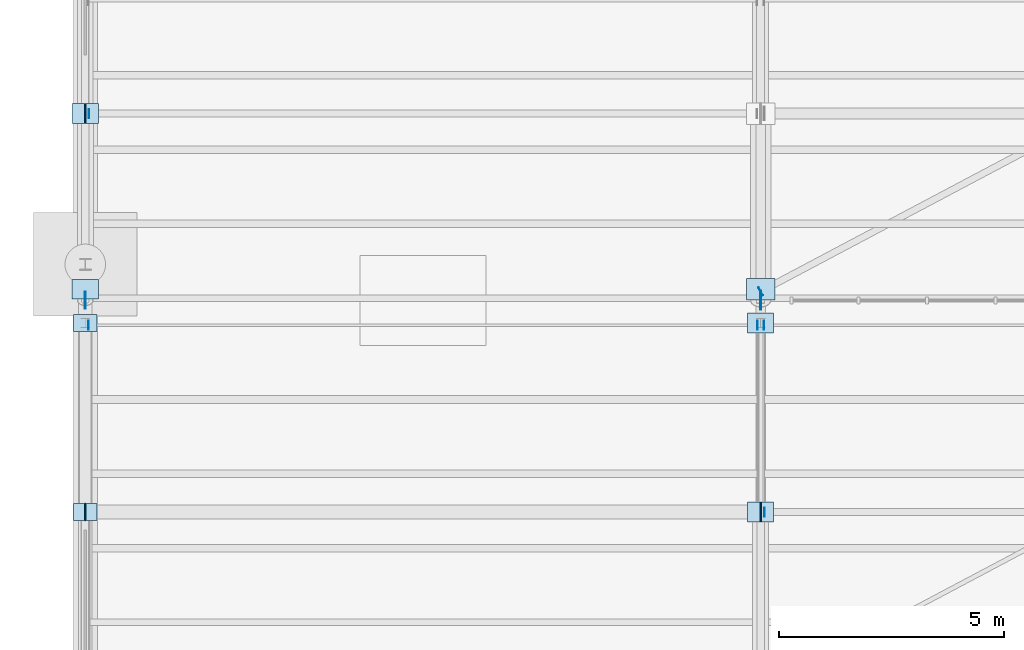
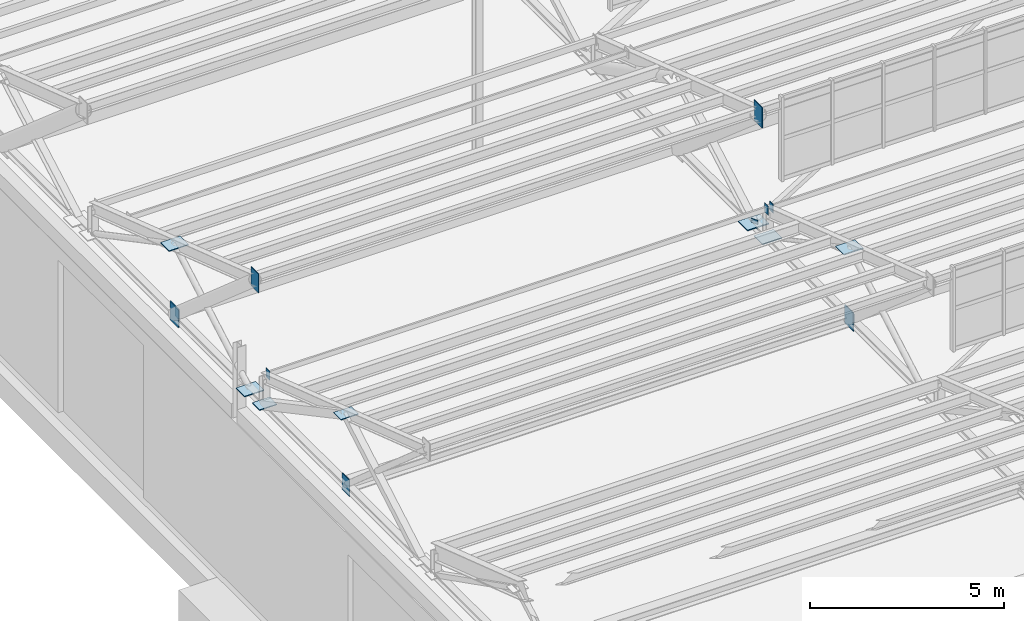
# One storey, part 202 of 285: 18 plates.
"""IFC4 building model written with IfcOpenShell, lengths in metres."""

import ifcopenshell
import ifcopenshell.guid

model = None  # the IFC model being written
_history = None  # IfcOwnerHistory: only IFC2X3 demands one
_inside = {}  # id of a spatial element -> (the spatial element, [elements in it])
_under = {}  # id of a project, library or spatial element -> (it, [spatial elements below it])
_declared = {}  # id of a project -> (the project, [libraries it declares])
_typed = {}  # id of a type object -> (the type object, [elements of that type])
_made_of = {}  # id of a material, layer set ... -> (it, [elements and type objects made of it])


def new_model(schema):
    """Start an empty IFC model of exactly this schema.

    Asked for "IFC4X3", IfcOpenShell would pick the latest addendum, in which some entities
    have other attributes; the version numbers below select the first issue.
    IFC2X3 requires an IfcOwnerHistory on every rooted entity: one is made here for all.
    """
    global model, _history
    if schema == "IFC4X3":
        model = ifcopenshell.file(schema_version=(4, 3, 0, 0))
    else:
        model = ifcopenshell.file(schema=schema)
    _inside.clear()
    _under.clear()
    _declared.clear()
    _typed.clear()
    _made_of.clear()
    _history = None
    if model.schema == "IFC2X3":
        org = make("IfcOrganization", Name="unknown")
        user = make(
            "IfcPersonAndOrganization",
            ThePerson=make("IfcPerson", FamilyName="unknown"),
            TheOrganization=org,
        )
        app = make(
            "IfcApplication",
            ApplicationDeveloper=org,
            Version="unknown",
            ApplicationFullName="unknown",
            ApplicationIdentifier="unknown",
        )
        _history = make(
            "IfcOwnerHistory",
            OwningUser=user,
            OwningApplication=app,
            ChangeAction="ADDED",
            CreationDate=0,
        )
    return model


def make(cls, **values):
    """One entity of the class cls with the attributes given. An attribute that is None is left unset."""
    return model.create_entity(
        cls, **{name: value for name, value in values.items() if value is not None}
    )


def rooted(cls, **values):
    """An entity with a GlobalId (a new one), such as an element, a storey or a relation."""
    return make(cls, GlobalId=ifcopenshell.guid.new(), OwnerHistory=_history, **values)


def si_unit(unit_type, name, prefix=None):
    """IfcSIUnit, for example si_unit("LENGTHUNIT", "METRE", prefix="MILLI")."""
    return make("IfcSIUnit", UnitType=unit_type, Prefix=prefix, Name=name)


def assignment(units):
    """IfcUnitAssignment: the units of a project."""
    return None if units is None else make("IfcUnitAssignment", Units=units)


def point(xyz):
    """IfcCartesianPoint."""
    return None if xyz is None else make("IfcCartesianPoint", Coordinates=xyz)


def direction(xyz):
    """IfcDirection."""
    return None if xyz is None else make("IfcDirection", DirectionRatios=xyz)


def frame(location, z_axis=None, x_axis=None):
    """IfcAxis2Placement3D, a coordinate frame: its origin and axes. An axis left out is left unset."""
    return make(
        "IfcAxis2Placement3D",
        Location=point(location),
        Axis=direction(z_axis),
        RefDirection=direction(x_axis),
    )


def frame_2d(location, x_axis=None):
    """IfcAxis2Placement2D, a coordinate frame in the plane: its origin and x axis."""
    return make(
        "IfcAxis2Placement2D", Location=point(location), RefDirection=direction(x_axis)
    )


def origin():
    """The frame at (0, 0, 0) with its axes left unset."""
    return frame((0.0, 0.0, 0.0))


def origin_2d():
    """The frame at (0, 0) in the plane with its x axis left unset."""
    return frame_2d((0.0, 0.0))


def place(relative_to, where):
    """IfcLocalPlacement: puts the frame where relative to a parent placement (None: the world)."""
    return make(
        "IfcLocalPlacement", PlacementRelTo=relative_to, RelativePlacement=where
    )


def context(
    kind, dimensions, precision=None, world=None, true_north=None, identifier=None
):
    """IfcGeometricRepresentationContext, for example the 3D "Model" context."""
    return make(
        "IfcGeometricRepresentationContext",
        ContextIdentifier=identifier,
        ContextType=kind,
        CoordinateSpaceDimension=dimensions,
        Precision=precision,
        WorldCoordinateSystem=world,
        TrueNorth=true_north,
    )


def subcontext(parent, identifier, kind, view, scale=None):
    """IfcGeometricRepresentationSubContext, for example "Body" below "Model"."""
    return make(
        "IfcGeometricRepresentationSubContext",
        ContextIdentifier=identifier,
        ContextType=kind,
        ParentContext=parent,
        TargetScale=scale,
        TargetView=view,
    )


def project(units=None, contexts=None):
    """IfcProject with its units and contexts."""
    return rooted(
        "IfcProject",
        Name="project",
        RepresentationContexts=contexts,
        UnitsInContext=assignment(units),
    )


def spatial(cls, under=None, at=None, **own):
    """A site, building, storey or space (cls), placed at a placement, below another one or the project."""
    s = rooted(cls, ObjectPlacement=at, **own)
    if under is not None:
        _under.setdefault(under.id(), (under, []))[1].append(s)
    return s


def profile(cls, at=None, kind="AREA", **sizes):
    """A parametric profile (cls). Its sizes go by their IFC names, for example OverallWidth=200.0."""
    return make(cls, ProfileType=kind, Position=at, **sizes)


def rectangle(**sizes):
    """IfcRectangleProfileDef."""
    return profile("IfcRectangleProfileDef", **sizes)


def extrude(swept, where, along, depth):
    """IfcExtrudedAreaSolid: the profile swept, set in the frame where, extruded along a direction by depth."""
    return make(
        "IfcExtrudedAreaSolid",
        SweptArea=swept,
        Position=where,
        ExtrudedDirection=direction(along),
        Depth=depth,
    )


def shape(context_of_items, identifier, shape_type, items):
    """IfcShapeRepresentation: the items that make up one representation, for example the "Body"."""
    return make(
        "IfcShapeRepresentation",
        ContextOfItems=context_of_items,
        RepresentationIdentifier=identifier,
        RepresentationType=shape_type,
        Items=items,
    )


def material(Name=None, Category=None):
    """IfcMaterial."""
    return make("IfcMaterial", Name=Name, Category=Category)


def layer(
    of_material, thickness, ventilated=None, Name=None, Category=None, Priority=None
):
    """IfcMaterialLayer: one layer of a wall or slab, of a material (None: an air gap)."""
    return make(
        "IfcMaterialLayer",
        Material=of_material,
        LayerThickness=thickness,
        IsVentilated=ventilated,
        Name=Name,
        Category=Category,
        Priority=Priority,
    )


def layer_set(layers, Name=None):
    """IfcMaterialLayerSet."""
    return make("IfcMaterialLayerSet", MaterialLayers=layers, LayerSetName=Name)


def made_of(thing, what):
    """Note that an element or type object is made of a material, layer set ...; save() writes the relation."""
    if what is not None:
        _made_of.setdefault(what.id(), (what, []))[1].append(thing)
    return thing


def type_object(cls, material=None, **own):
    """A type object (cls), such as IfcWallType, which elements share."""
    return made_of(rooted(cls, **own), material)


def element(
    cls,
    number,
    at=None,
    inside=None,
    cuts=None,
    type_object=None,
    material=None,
    context=None,
    identifier="Body",
    shape_type=None,
    held_by="IfcProductDefinitionShape",
    body=None,
    shapes=None,
    **own,
):
    """One element of the class cls, such as IfcWall. Its Tag is "e" and its number.

    at: its placement. inside: the storey or other place that contains it. cuts: it is an
    opening in that element (IfcRelVoidsElement). A single representation is given by context,
    identifier, shape_type and body (its items); several are given by shapes. held_by: the class
    of the entity that holds the representations. save() writes the other relations.
    """
    e = rooted(cls, Tag="e%d" % number, ObjectPlacement=at, **own)
    if body is not None:
        shapes = [shape(context, identifier, shape_type, body)]
    if shapes is not None:
        e.Representation = make(held_by, Representations=shapes)
    if inside is not None:
        _inside.setdefault(inside.id(), (inside, []))[1].append(e)
    if cuts is not None:
        rooted(
            "IfcRelVoidsElement", RelatingBuildingElement=cuts, RelatedOpeningElement=e
        )
    if type_object is not None:
        _typed.setdefault(type_object.id(), (type_object, []))[1].append(e)
    return made_of(e, material)


def aggregate(whole, parts):
    """IfcRelAggregates: a whole, such as a stair, and the parts it consists of."""
    return rooted("IfcRelAggregates", RelatingObject=whole, RelatedObjects=parts)


def save(model, path):
    """Write the relations noted so far, then the file.

    IfcRelAggregates (storeys below a building ...), IfcRelContainedInSpatialStructure (elements
    in a storey), IfcRelDefinesByType, IfcRelAssociatesMaterial and IfcRelDeclares: one each for
    every whole, place, type object, material and project.
    """
    for whole, parts in _under.values():
        aggregate(whole, parts)
    for where, things in _inside.values():
        rooted(
            "IfcRelContainedInSpatialStructure",
            RelatedElements=things,
            RelatingStructure=where,
        )
    for kind, things in _typed.values():
        rooted("IfcRelDefinesByType", RelatedObjects=things, RelatingType=kind)
    for what, things in _made_of.values():
        rooted("IfcRelAssociatesMaterial", RelatedObjects=things, RelatingMaterial=what)
    for by, libraries in _declared.values():
        rooted("IfcRelDeclares", RelatingContext=by, RelatedDefinitions=libraries)
    model.write(path)


model = new_model("IFC4")

# Units and contexts
model_context = context("Model", 3, precision=1e-05, world=origin(), true_north=direction((0.0, 1.0)))
body_context = subcontext(model_context, "Body", "Model", "MODEL_VIEW")
ifc_project = project(units=[si_unit("LENGTHUNIT", "METRE"), si_unit("AREAUNIT", "SQUARE_METRE"), si_unit("VOLUMEUNIT", "CUBIC_METRE"), si_unit("PLANEANGLEUNIT", "RADIAN"), si_unit("MASSUNIT", "GRAM", prefix="KILO")], contexts=[model_context])

# Site, building, storey
site_placement = place(None, origin())
site = spatial("IfcSite", under=ifc_project, at=site_placement, CompositionType="ELEMENT")
building_placement = place(site_placement, origin())
building = spatial("IfcBuilding", under=site, at=building_placement, Name="Solanera Park Tramway Depot", CompositionType="ELEMENT")
storey_placement = place(building_placement, origin())
storey = spatial("IfcBuildingStorey", under=building, at=storey_placement, Name="L00", CompositionType="ELEMENT", Elevation=0.0)

# Plates
ifc_material_1 = material(Name="Steel AS/NZS 3679.1 Grade 350", Category="steel")
ifc_layer_1 = layer(ifc_material_1, 0.013916015625)
ifc_layer_set_1 = layer_set([ifc_layer_1], Name="Steel AS/NZS 3679.1 Grade 350")
plate_type_1 = type_object("IfcPlateType", Name="Hollow End Cap and Base Plate 280x200x14", PredefinedType="USERDEFINED", material=ifc_layer_set_1)
for number, where, z_axis, x_axis, name in (
    (1, (0.072021484375, 99.449951171875, 7.30615234375), (0.0, 0.0, 1.0), (1.0, 0.0, 0.0), "Hollow Section Welded End Cap Plate #0481"),
    (2, (14.92529296875, 99.449951171875, 7.30615234375), (0.0, 0.0, 1.0), (1.0, 0.0, 0.0), "Hollow Section Welded End Cap Plate #0482"),
    (3, (15.07470703125, 99.449951171875, 7.30615234375), (0.0, 0.0, 1.0), (1.0, 0.0, 0.0), "Hollow Section Welded End Cap Plate #0483"),
    (4, (15.0849609375, 95.300048828125, 6.35986328125), (0.0, 0.0, 1.0), (1.0, 0.0, 0.0), "Hollow Section Welded End Cap Plate #0501"),
    (5, (0.0849609375, 104.14990234375, 6.35986328125), (0.0, 0.0, 1.0), (1.0, 0.0, 0.0), "Hollow Section Welded End Cap Plate #0612"),
    (6, (14.999267578125, 100.198486328125, 6.35986328125), (0.0, 0.0, 1.0), (0.883520501477, 0.468392488698, 0.0), "Hollow Section Welded End Cap Plate #0616"),
):
    element("IfcPlate", number, at=place(storey_placement, frame(where, z_axis=z_axis, x_axis=x_axis)), inside=storey, type_object=plate_type_1, Name=name, ObjectType="BASE PLATE", PredefinedType="USERDEFINED", context=body_context, shape_type="SweptSolid", body=[
        extrude(rectangle(XDim=0.013916015625, YDim=0.199951171875, at=origin_2d()), origin(), (0.0, 0.0, 1.0), 0.280029296875),
    ])
ifc_material_2 = material(Name="Steel AS/NZS 3679.1 Grade 350", Category="steel")
ifc_layer_2 = layer(ifc_material_2, 0.02490234375)
ifc_layer_set_2 = layer_set([ifc_layer_2], Name="Steel AS/NZS 3679.1 Grade 350")
plate_type_2 = type_object("IfcPlateType", Name="Hollow End Cap and Base Plate 520x380x25", PredefinedType="USERDEFINED", material=ifc_layer_set_2)
plate_1_placement = place(storey_placement, frame((0.0, 95.300048828125, 6.239990234375), z_axis=(0.0, 0.0, 1.0), x_axis=(1.0, 0.0, 0.0)))
element("IfcPlate", 7, at=plate_1_placement, inside=storey, type_object=plate_type_2, Name="Sawtooth Truss Hollow End Cap #0427", ObjectType="BASE PLATE", PredefinedType="USERDEFINED", context=body_context, shape_type="SweptSolid", body=[
    extrude(rectangle(XDim=0.02490234375, YDim=0.3798828125, at=origin_2d()), origin(), (0.0, 0.0, 1.0), 0.52001953125),
])
for number, where, z_axis, x_axis, name in (
    (8, (0.0, 99.5, 6.487548828125), (0.0, 0.0, 1.0), (1.0, 0.0, 0.0), "Sawtooth Truss Node Cap Plate #0428"),
    (9, (0.0, 95.300048828125, 8.730224609375), (0.0, 0.0, 1.0), (1.0, 0.0, 0.0), "Sawtooth Truss Node Cap Plate #0429"),
):
    element("IfcPlate", number, at=place(storey_placement, frame(where, z_axis=z_axis, x_axis=x_axis)), inside=storey, type_object=plate_type_2, Name=name, ObjectType="BASE PLATE", PredefinedType="USERDEFINED", context=body_context, shape_type="SweptSolid", body=[
        extrude(rectangle(XDim=0.52001953125, YDim=0.3798828125, at=origin_2d()), origin(), (0.0, 0.0, 1.0), 0.02490234375),
    ])
ifc_material_3 = material(Name="Steel AS/NZS 3679.1 Grade 350", Category="steel")
ifc_layer_3 = layer(ifc_material_3, 0.028076171875)
ifc_layer_set_3 = layer_set([ifc_layer_3], Name="Steel AS/NZS 3679.1 Grade 350")
plate_type_3 = type_object("IfcPlateType", Name="Hollow End Cap and Base Plate 580x440x28", PredefinedType="USERDEFINED", material=ifc_layer_set_3)
plate_2_placement = place(storey_placement, frame((15.0, 95.300048828125, 6.2099609375), z_axis=(0.0, 0.0, 1.0), x_axis=(1.0, 0.0, 0.0)))
element("IfcPlate", 10, at=plate_2_placement, inside=storey, type_object=plate_type_3, Name="Sawtooth Truss Hollow End Cap #0432", ObjectType="BASE PLATE", PredefinedType="USERDEFINED", context=body_context, shape_type="SweptSolid", body=[
    extrude(rectangle(XDim=0.028076171875, YDim=0.43994140625, at=origin_2d()), origin(), (0.0, 0.0, 1.0), 0.580078125),
])
for number, where, z_axis, x_axis, name in (
    (11, (15.0, 99.5, 6.48583984375), (0.0, 0.0, 1.0), (1.0, 0.0, 0.0), "Sawtooth Truss Node Cap Plate #0433"),
    (12, (15.0, 95.300048828125, 8.70458984375), (0.0, 0.0, 1.0), (1.0, 0.0, 0.0), "Sawtooth Truss Node Cap Plate #0434"),
):
    element("IfcPlate", number, at=place(storey_placement, frame(where, z_axis=z_axis, x_axis=x_axis)), inside=storey, type_object=plate_type_3, Name=name, ObjectType="BASE PLATE", PredefinedType="USERDEFINED", context=body_context, shape_type="SweptSolid", body=[
        extrude(rectangle(XDim=0.580078125, YDim=0.43994140625, at=origin_2d()), origin(), (0.0, 0.0, 1.0), 0.028076171875),
    ])
plate_3_placement = place(storey_placement, frame((0.0, 104.14990234375, 6.2099609375), z_axis=(0.0, 0.0, 1.0), x_axis=(1.0, 0.0, 0.0)))
element("IfcPlate", 13, at=plate_3_placement, inside=storey, type_object=plate_type_3, Name="Sawtooth Truss Hollow End Cap #0518", ObjectType="BASE PLATE", PredefinedType="USERDEFINED", context=body_context, shape_type="SweptSolid", body=[
    extrude(rectangle(XDim=0.028076171875, YDim=0.43994140625, at=origin_2d()), origin(), (0.0, 0.0, 1.0), 0.580078125),
])
for number, where, z_axis, x_axis, name in (
    (14, (0.0, 104.14990234375, 8.70458984375), (0.0, 0.0, 1.0), (1.0, 0.0, 0.0), "Sawtooth Truss Node Cap Plate #0520"),
    (15, (0.0, 100.25, 6.48583984375), (0.0, 0.0, 1.0), (1.0, 0.0, 0.0), "Sawtooth Truss Node Cap Plate #0521"),
):
    element("IfcPlate", number, at=place(storey_placement, frame(where, z_axis=z_axis, x_axis=x_axis)), inside=storey, type_object=plate_type_3, Name=name, ObjectType="BASE PLATE", PredefinedType="USERDEFINED", context=body_context, shape_type="SweptSolid", body=[
        extrude(rectangle(XDim=0.580078125, YDim=0.43994140625, at=origin_2d()), origin(), (0.0, 0.0, 1.0), 0.028076171875),
    ])
ifc_material_4 = material(Name="Steel AS/NZS 3679.1 Grade 350", Category="steel")
ifc_layer_4 = layer(ifc_material_4, 0.031982421875)
ifc_layer_set_4 = layer_set([ifc_layer_4], Name="Steel AS/NZS 3679.1 Grade 350")
plate_type_4 = type_object("IfcPlateType", Name="Hollow End Cap and Base Plate 640x480x32", PredefinedType="USERDEFINED", material=ifc_layer_set_4)
plate_4_placement = place(storey_placement, frame((15.0, 100.25, 6.48388671875), z_axis=(0.0, 0.0, 1.0), x_axis=(1.0, 0.0, 0.0)))
element("IfcPlate", 16, at=plate_4_placement, inside=storey, type_object=plate_type_4, Name="Sawtooth Truss Node Cap Plate #0526", ObjectType="BASE PLATE", PredefinedType="USERDEFINED", context=body_context, shape_type="SweptSolid", body=[
    extrude(rectangle(XDim=0.639892578125, YDim=0.47998046875, at=origin_2d()), origin(), (0.0, 0.0, 1.0), 0.031982421875),
])
ifc_material_5 = material(Name="Steel AS/NZS 3679.1 Grade 350", Category="steel")
ifc_layer_5 = layer(ifc_material_5, 0.02001953125)
ifc_layer_set_5 = layer_set([ifc_layer_5], Name="Steel AS/NZS 3679.1 Grade 350")
plate_type_5 = type_object("IfcPlateType", Name="Truss Node Gusset Stiffener 600x380x20", PredefinedType="SHEET", material=ifc_layer_set_5)
plate_5_placement = place(storey_placement, frame((0.0, 100.0, 9.806884765625), z_axis=(0.0, 0.0, 1.0), x_axis=(1.0, 0.0, 0.0)))
element("IfcPlate", 17, at=plate_5_placement, inside=storey, type_object=plate_type_5, Name="Sawtooth Truss Apex Gusset Plate #0517", PredefinedType="SHEET", context=body_context, shape_type="SweptSolid", body=[
    extrude(rectangle(XDim=0.02001953125, YDim=0.3798828125, at=origin_2d()), origin(), (0.0, 0.0, 1.0), 0.60009765625),
])
ifc_material_6 = material(Name="Steel AS/NZS 3679.1 Grade 350", Category="steel")
ifc_layer_6 = layer(ifc_material_6, 0.02197265625)
ifc_layer_set_6 = layer_set([ifc_layer_6], Name="Steel AS/NZS 3679.1 Grade 350")
plate_type_6 = type_object("IfcPlateType", Name="Truss Node Gusset Stiffener 640x420x22", PredefinedType="SHEET", material=ifc_layer_set_6)
plate_6_placement = place(storey_placement, frame((15.0, 100.0, 9.76171875), z_axis=(0.0, 0.0, 1.0), x_axis=(1.0, 0.0, 0.0)))
element("IfcPlate", 18, at=plate_6_placement, inside=storey, type_object=plate_type_6, Name="Sawtooth Truss Apex Gusset Plate #0522", PredefinedType="SHEET", context=body_context, shape_type="SweptSolid", body=[
    extrude(rectangle(XDim=0.02197265625, YDim=0.419921875, at=origin_2d()), origin(), (0.0, 0.0, 1.0), 0.639892578125),
])

save(model, "model.ifc")
